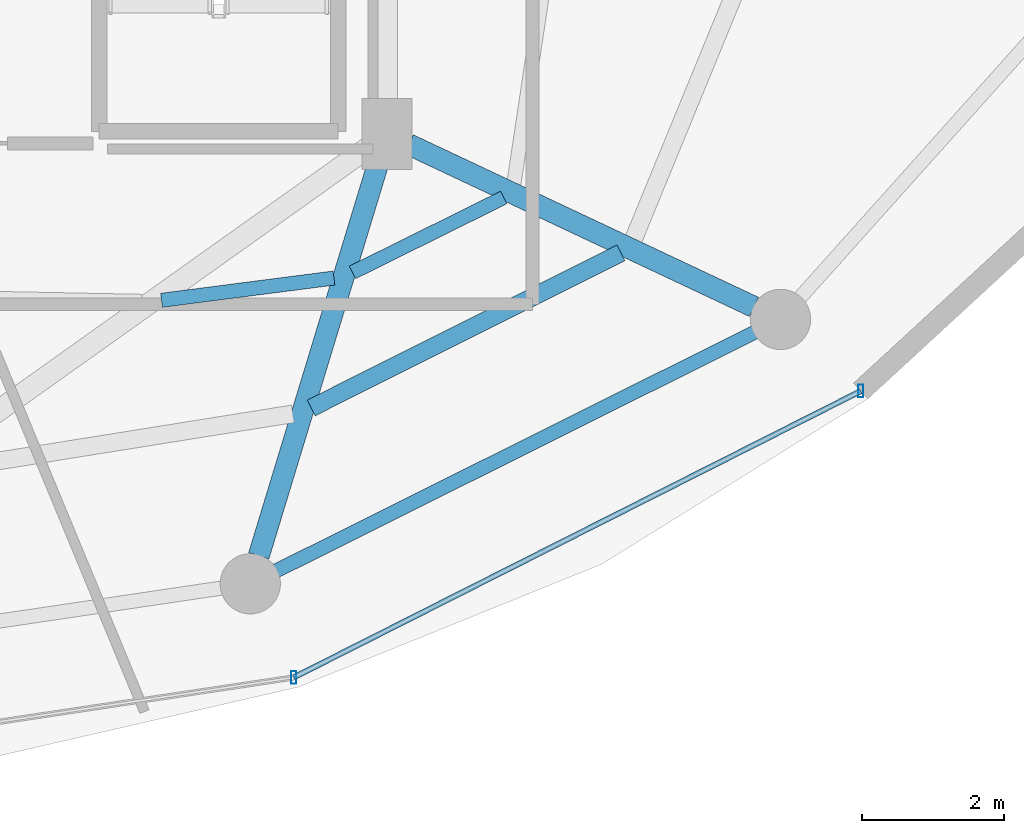
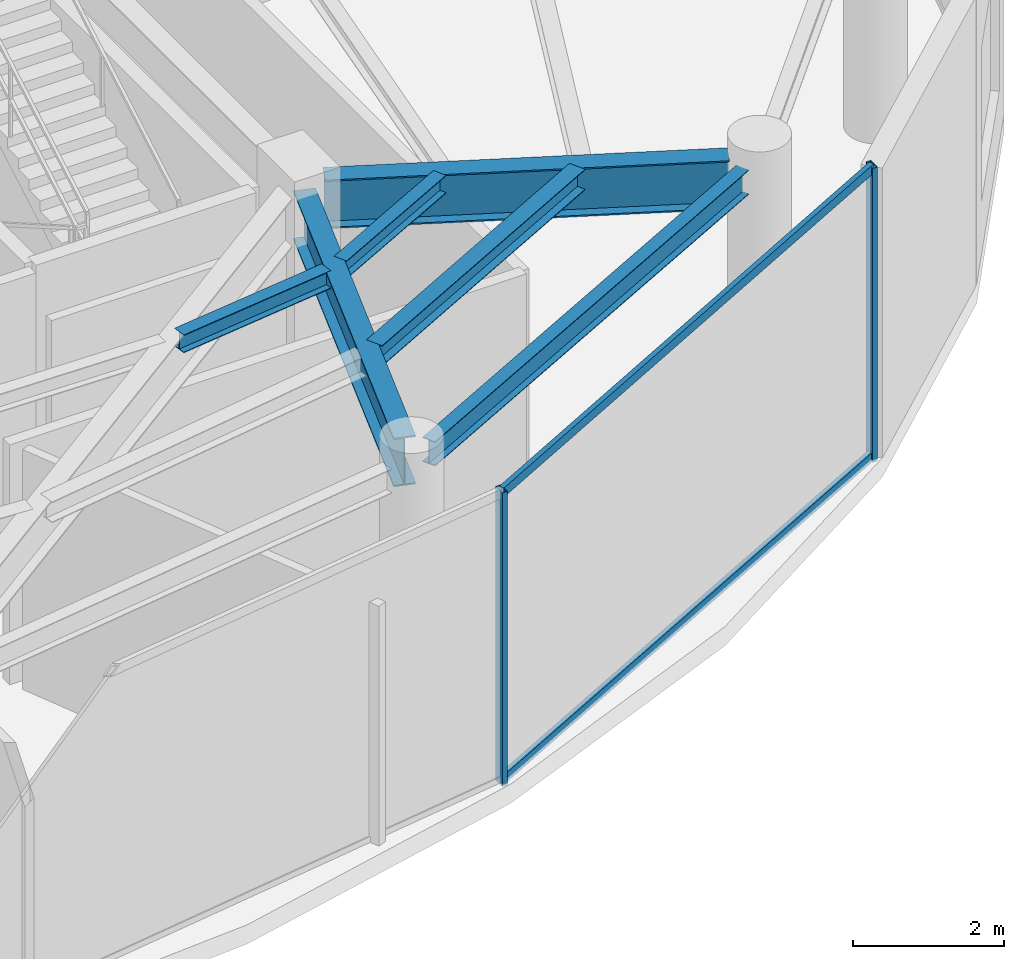
# One storey, part 11 of 24: 6 beams, 4 members, 1 element without a shape of its own.
"""IFC4 building model written with IfcOpenShell, lengths in metres."""

from ifc_helpers import new_model, si_unit, direction, frame, origin, origin_2d, place, context, subcontext, project, spatial, hollow_rectangle, i_section, extrude, material, material_profile, profile_set, type_object, element, aggregate, save


model = new_model("IFC4")

# Units and contexts
model_context = context("Model", 3, precision=1e-05, world=origin(), true_north=direction((0.0, 1.0)))
body_context = subcontext(model_context, "Body", "Model", "MODEL_VIEW")
ifc_project = project(units=[si_unit("LENGTHUNIT", "METRE"), si_unit("AREAUNIT", "SQUARE_METRE"), si_unit("VOLUMEUNIT", "CUBIC_METRE"), si_unit("PLANEANGLEUNIT", "RADIAN"), si_unit("MASSUNIT", "GRAM", prefix="KILO")], contexts=[model_context])

# Site, building, storey
site_placement = place(None, origin())
site = spatial("IfcSite", under=ifc_project, at=site_placement, CompositionType="ELEMENT")
building_placement = place(site_placement, origin())
building = spatial("IfcBuilding", under=site, at=building_placement, Name="Vorneva Point Tower", CompositionType="ELEMENT")
storey_placement = place(building_placement, frame((0.0, 0.0, 285.39990234375)))
storey = spatial("IfcBuildingStorey", under=building, at=storey_placement, Name="L77", CompositionType="ELEMENT", Elevation=285.39990234375)

# Beams
ifc_material_1 = material(Name="Steel S355", Category="steel")
ifc_material_profile_1 = material_profile(ifc_material_1, i_section(OverallWidth=0.300048828125, OverallDepth=0.7880859375, WebThickness=0.014404296875, FlangeThickness=0.02197265625, at=origin_2d()), Name="80Sh1")
ifc_profile_set_1 = profile_set([ifc_material_profile_1], Name="Steel S355")
beam_type_1 = type_object("IfcBeamType", Name="BM-GRD-80Sh1", PredefinedType="USERDEFINED", material=ifc_profile_set_1)
beam_1_placement = place(storey_placement, frame((46.941162109375, 10.50439453125, 4.296142578125), z_axis=(0.291032624293, 0.956713129207, 0.0), x_axis=(-0.956713129207, 0.291032624293, 0.0)))
element("IfcBeam", 1, at=beam_1_placement, inside=storey, type_object=beam_type_1, Name="L77 Radial Primary Girder 14", ObjectType="GIRDER", PredefinedType="USERDEFINED", context=body_context, shape_type="SweptSolid", body=[
    extrude(i_section(OverallWidth=0.300048828125, OverallDepth=0.7880859375, WebThickness=0.014404296875, FlangeThickness=0.02197265625, at=origin_2d()), origin(), (0.0, 0.0, 1.0), 5.874755859375),
])
beam_2_placement = place(storey_placement, frame((53.925048828125, 14.013671875, 4.296142578125), z_axis=(-0.904750812805, 0.425941271455, 0.0), x_axis=(-0.425941271455, -0.904750812805, 0.0)))
element("IfcBeam", 2, at=beam_2_placement, inside=storey, type_object=beam_type_1, Name="L77 Radial Primary Girder 15", ObjectType="GIRDER", PredefinedType="USERDEFINED", context=body_context, shape_type="SweptSolid", body=[
    extrude(i_section(OverallWidth=0.300048828125, OverallDepth=0.7880859375, WebThickness=0.014404296875, FlangeThickness=0.02197265625, at=origin_2d()), origin(), (0.0, 0.0, 1.0), 5.3798828125),
])
ifc_material_profile_2 = material_profile(ifc_material_1, i_section(OverallWidth=0.199951171875, OverallDepth=0.291015625, WebThickness=0.008056640625, FlangeThickness=0.010986328125, at=origin_2d()), Name="30Sh1")
ifc_profile_set_2 = profile_set([ifc_material_profile_2], Name="Steel S355")
beam_type_2 = type_object("IfcBeamType", Name="BM-SEC-30Sh1", PredefinedType="BEAM", material=ifc_profile_set_2)
beam_3_placement = place(storey_placement, frame((45.56884765625, 14.106689453125, 4.544677734375), z_axis=(0.991759516667, 0.128113469633, 0.0), x_axis=(-0.128113469633, 0.991759516667, 0.0)))
element("IfcBeam", 3, at=beam_3_placement, inside=storey, type_object=beam_type_2, Name="L77 Secondary Floor Beam 2.13", PredefinedType="BEAM", context=body_context, shape_type="SweptSolid", body=[
    extrude(i_section(OverallWidth=0.199951171875, OverallDepth=0.291015625, WebThickness=0.008056640625, FlangeThickness=0.010986328125, at=origin_2d()), origin(), (0.0, 0.0, 1.0), 2.45263671875),
])
beam_4_placement = place(storey_placement, frame((48.26171875, 14.5, 4.544677734375), z_axis=(0.896082897708, 0.443886742803, 0.0), x_axis=(-0.443886742803, 0.896082897708, 0.0)))
element("IfcBeam", 4, at=beam_4_placement, inside=storey, type_object=beam_type_2, Name="L77 Secondary Floor Beam 2.14", PredefinedType="BEAM", context=body_context, shape_type="SweptSolid", body=[
    extrude(i_section(OverallWidth=0.199951171875, OverallDepth=0.291015625, WebThickness=0.008056640625, FlangeThickness=0.010986328125, at=origin_2d()), origin(), (0.0, 0.0, 1.0), 2.3798828125),
])
ifc_material_profile_3 = material_profile(ifc_material_1, i_section(OverallWidth=0.2490234375, OverallDepth=0.333984375, WebThickness=0.008056640625, FlangeThickness=0.010986328125, at=origin_2d()), Name="35Sh1")
ifc_profile_set_3 = profile_set([ifc_material_profile_3], Name="Steel S355")
beam_type_3 = type_object("IfcBeamType", Name="BM-SEC-35Sh1", PredefinedType="BEAM", material=ifc_profile_set_3)
beam_5_placement = place(storey_placement, frame((47.68017578125, 12.589599609375, 4.523193359375), z_axis=(0.894207228659, 0.447653249975, 0.0), x_axis=(-0.447653249975, 0.894207228659, 0.0)))
element("IfcBeam", 5, at=beam_5_placement, inside=storey, type_object=beam_type_3, Name="L77 Secondary Floor Beam 1.14", PredefinedType="BEAM", context=body_context, shape_type="SweptSolid", body=[
    extrude(i_section(OverallWidth=0.2490234375, OverallDepth=0.333984375, WebThickness=0.008056640625, FlangeThickness=0.010986328125, at=origin_2d()), origin(), (0.0, 0.0, 1.0), 4.885986328125),
])
ifc_material_profile_4 = material_profile(ifc_material_1, i_section(OverallWidth=0.198974609375, OverallDepth=0.39599609375, WebThickness=0.007080078125, FlangeThickness=0.010986328125, at=origin_2d()), Name="40B1")
ifc_profile_set_4 = profile_set([ifc_material_profile_4], Name="Steel S355")
beam_type_4 = type_object("IfcBeamType", Name="BM-SPN-40B1", PredefinedType="SPANDREL", material=ifc_profile_set_4)
beam_6_placement = place(storey_placement, frame((47.187744140625, 10.292236328125, 4.4921875), z_axis=(0.894932011528, 0.446202526599, 0.0), x_axis=(-0.446202526599, 0.894932011528, 0.0)))
element("IfcBeam", 6, at=beam_6_placement, inside=storey, type_object=beam_type_4, Name="L77 Perimeter Spandrel Ring Beam 14", PredefinedType="SPANDREL", context=body_context, shape_type="SweptSolid", body=[
    extrude(i_section(OverallWidth=0.198974609375, OverallDepth=0.39599609375, WebThickness=0.007080078125, FlangeThickness=0.010986328125, at=origin_2d()), origin(), (0.0, 0.0, 1.0), 7.535888671875),
])

# Curtain wall, members
ifc_material_2 = material(Name="Pale anodised aluminium", Category="aluminium")
curtain_wall_type = type_object("IfcCurtainWallType", Name="CW-OBS-SYS", PredefinedType="NOTDEFINED", material=ifc_material_2)
curtain_wall_placement = place(storey_placement, origin())
curtain_wall = element("IfcCurtainWall", 7, at=curtain_wall_placement, inside=storey, type_object=curtain_wall_type, Name="L77 Unitised Curtain Wall CW-L77-R04", PredefinedType="NOTDEFINED")
ifc_material_profile_5 = material_profile(ifc_material_2, hollow_rectangle(XDim=0.074951171875, YDim=0.179931640625, WallThickness=0.00390625, at=origin_2d()), Name="AL-MUL 180x75x4")
ifc_profile_set_5 = profile_set([ifc_material_profile_5], Name="Pale anodised aluminium")
member_type_1 = type_object("IfcMemberType", Name="CW-MUL-180", PredefinedType="MULLION", material=ifc_profile_set_5)
member_1_placement = place(storey_placement, frame((47.43310546875, 8.7880859375, -0.039794921875), z_axis=(0.0, 0.0, 1.0), x_axis=(1.0, 0.0, 0.0)))
member_1 = element("IfcMember", 8, at=member_1_placement, type_object=member_type_1, Name="CW-L77-R04 Mullion 03", PredefinedType="MULLION", context=body_context, shape_type="SweptSolid", body=[
    extrude(hollow_rectangle(XDim=0.074951171875, YDim=0.179931640625, WallThickness=0.00390625, at=origin_2d()), origin(), (0.0, 0.0, 1.0), 4.760009765625),
])
member_2_placement = place(storey_placement, frame((55.43017578125, 12.82666015625, -0.039794921875), z_axis=(0.0, 0.0, 1.0), x_axis=(1.0, 0.0, 0.0)))
member_2 = element("IfcMember", 9, at=member_2_placement, type_object=member_type_1, Name="CW-L77-R04 Mullion 04", PredefinedType="MULLION", context=body_context, shape_type="SweptSolid", body=[
    extrude(hollow_rectangle(XDim=0.074951171875, YDim=0.179931640625, WallThickness=0.00390625, at=origin_2d()), origin(), (0.0, 0.0, 1.0), 4.760009765625),
])
ifc_material_profile_6 = material_profile(ifc_material_2, hollow_rectangle(XDim=0.074951171875, YDim=0.14990234375, WallThickness=0.00390625, at=origin_2d()), Name="AL-TRN 150x75x4")
ifc_profile_set_6 = profile_set([ifc_material_profile_6], Name="Pale anodised aluminium")
member_type_2 = type_object("IfcMemberType", Name="CW-TRN-150", PredefinedType="USERDEFINED", material=ifc_profile_set_6)
member_3_placement = place(storey_placement, frame((47.43310546875, 8.7880859375, 0.02001953125), z_axis=(0.892632382234, 0.450785348239, 0.0), x_axis=(-0.450785348239, 0.892632382234, 0.0)))
member_3 = element("IfcMember", 10, at=member_3_placement, type_object=member_type_2, Name="CW-L77-R04 Transom 03.1", ObjectType="TRANSOM", PredefinedType="USERDEFINED", context=body_context, shape_type="SweptSolid", body=[
    extrude(hollow_rectangle(XDim=0.074951171875, YDim=0.14990234375, WallThickness=0.00390625, at=origin_2d()), origin(), (0.0, 0.0, 1.0), 8.958984375),
])
member_4_placement = place(storey_placement, frame((47.43310546875, 8.7880859375, 4.670166015625), z_axis=(0.892632382234, 0.450785348239, 0.0), x_axis=(-0.450785348239, 0.892632382234, 0.0)))
member_4 = element("IfcMember", 11, at=member_4_placement, type_object=member_type_2, Name="CW-L77-R04 Transom 03.2", ObjectType="TRANSOM", PredefinedType="USERDEFINED", context=body_context, shape_type="SweptSolid", body=[
    extrude(hollow_rectangle(XDim=0.074951171875, YDim=0.14990234375, WallThickness=0.00390625, at=origin_2d()), origin(), (0.0, 0.0, 1.0), 8.958984375),
])
aggregate(curtain_wall, [member_1, member_2, member_3, member_4])

save(model, "model.ifc")
